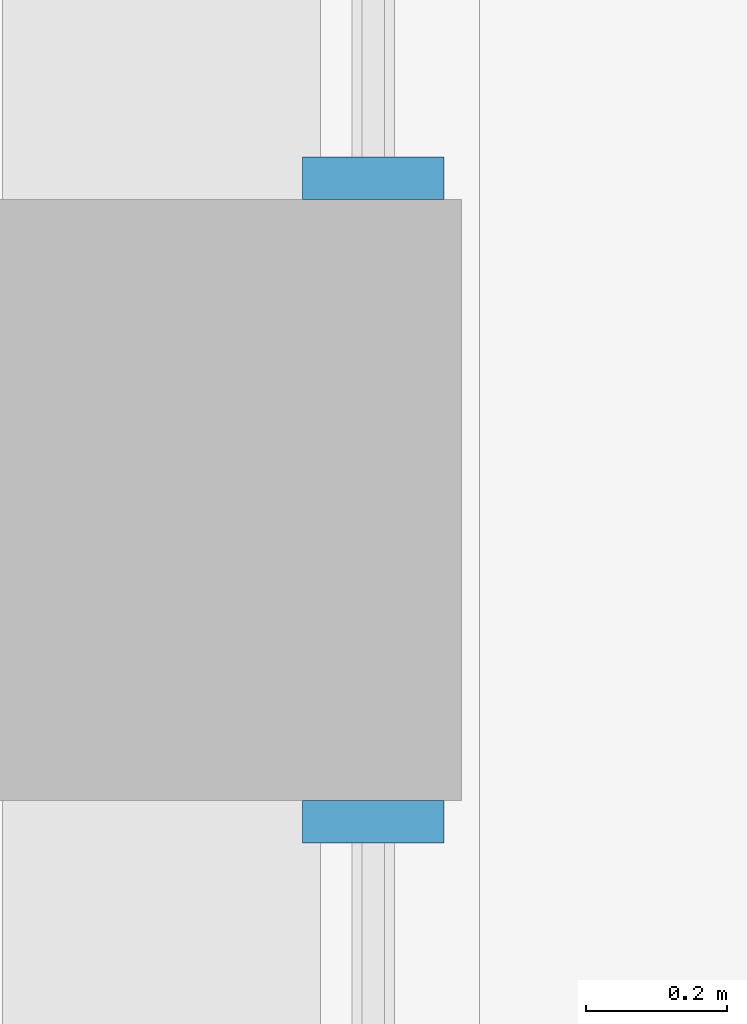
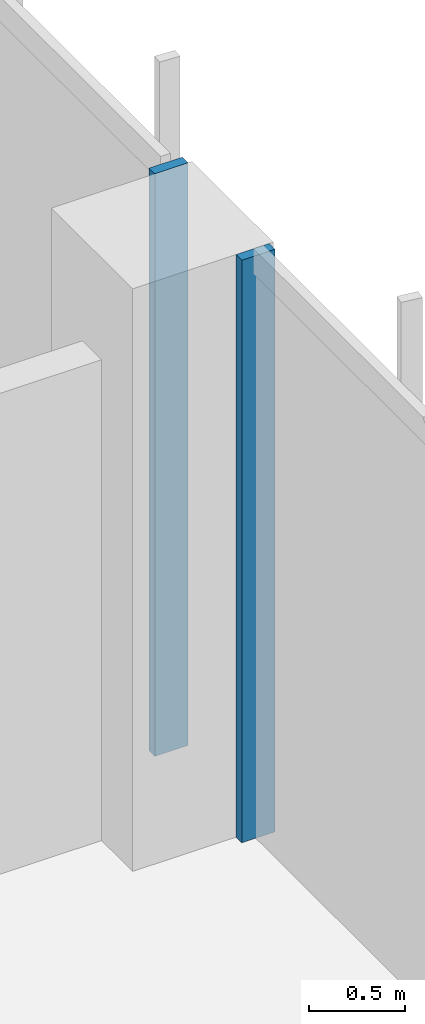
# One storey, part 8 of 27: 2 members, 2 elements without a shape of their own.
"""IFC4 building model written with IfcOpenShell, lengths in metres."""

from ifc_helpers import new_model, si_unit, direction, frame, origin, origin_2d, place, context, subcontext, project, spatial, rectangle, extrude, source, transform, mapped, material, material_profile, profile_set, type_object, element, aggregate, save


model = new_model("IFC4")

# Units and contexts
model_context = context("Model", 3, precision=1e-05, world=origin(), true_north=direction((0.0, 1.0)))
body_context = subcontext(model_context, "Body", "Model", "MODEL_VIEW")
ifc_project = project(units=[si_unit("LENGTHUNIT", "METRE"), si_unit("AREAUNIT", "SQUARE_METRE"), si_unit("VOLUMEUNIT", "CUBIC_METRE"), si_unit("PLANEANGLEUNIT", "RADIAN"), si_unit("MASSUNIT", "GRAM", prefix="KILO")], contexts=[model_context])

# Site, building, storey
site_placement = place(None, origin())
site = spatial("IfcSite", under=ifc_project, at=site_placement, CompositionType="ELEMENT")
building_placement = place(site_placement, origin())
building = spatial("IfcBuilding", under=site, at=building_placement, Name="Kilnfold Tower and Market Hall", CompositionType="ELEMENT")
storey_placement = place(building_placement, frame((0.0, 0.0, 116.60009765625)))
storey = spatial("IfcBuildingStorey", under=building, at=storey_placement, Name="L27", CompositionType="ELEMENT", Elevation=116.60009765625)

# Curtain wall, member
ifc_material_1 = material(Name="Aluminium and double glazing", Category="aluminium")
curtain_wall_type = type_object("IfcCurtainWallType", Name="CW OF2 VALLEY GLAZING", PredefinedType="NOTDEFINED", material=ifc_material_1)
curtain_wall_1_placement = place(storey_placement, origin())
curtain_wall_1 = element("IfcCurtainWall", 1, at=curtain_wall_1_placement, inside=storey, type_object=curtain_wall_type, Name="Curtain wall CW2 L27 E", PredefinedType="NOTDEFINED")
ifc_material_2 = material(Name="Aluminium", Category="aluminium")
ifc_material_profile = material_profile(ifc_material_2, rectangle(XDim=0.06005859375, YDim=0.199951171875, at=origin_2d()), Name="MULLION 60x200")
ifc_profile_set = profile_set([ifc_material_profile], Name="Aluminium")
member_type = type_object("IfcMemberType", Name="MULLION 60X200", PredefinedType="MULLION", material=ifc_profile_set)
shared_shape = source(origin(), body_context, "Body", "SweptSolid", [
    extrude(rectangle(XDim=0.06005859375, YDim=0.199951171875, at=origin_2d()), origin(), (0.0, 0.0, 1.0), 3.719970703125),
])
member_1_placement = place(storey_placement, frame((32.85009765625, 7.544921875, 0.0), z_axis=(0.0, 0.0, 1.0), x_axis=(0.0, 1.0, 0.0)))
member_1 = element("IfcMember", 2, at=member_1_placement, type_object=member_type, Name="CW2 mullion 2", PredefinedType="MULLION", context=body_context, shape_type="MappedRepresentation", body=[
    mapped(shared_shape, transform((0.0, 0.0, 0.0))),
])
aggregate(curtain_wall_1, [member_1])

curtain_wall_2_placement = place(storey_placement, origin())
curtain_wall_2 = element("IfcCurtainWall", 3, at=curtain_wall_2_placement, inside=storey, type_object=curtain_wall_type, Name="Curtain wall CW2 L27 E", PredefinedType="NOTDEFINED")
member_2_placement = place(storey_placement, frame((32.85009765625, 8.455078125, 0.0), z_axis=(0.0, 0.0, 1.0), x_axis=(0.0, 1.0, 0.0)))
member_2 = element("IfcMember", 4, at=member_2_placement, type_object=member_type, Name="CW2 mullion 1", PredefinedType="MULLION", context=body_context, shape_type="MappedRepresentation", body=[
    mapped(shared_shape, transform((0.0, 0.0, 0.0))),
])
aggregate(curtain_wall_2, [member_2])

save(model, "model.ifc")
